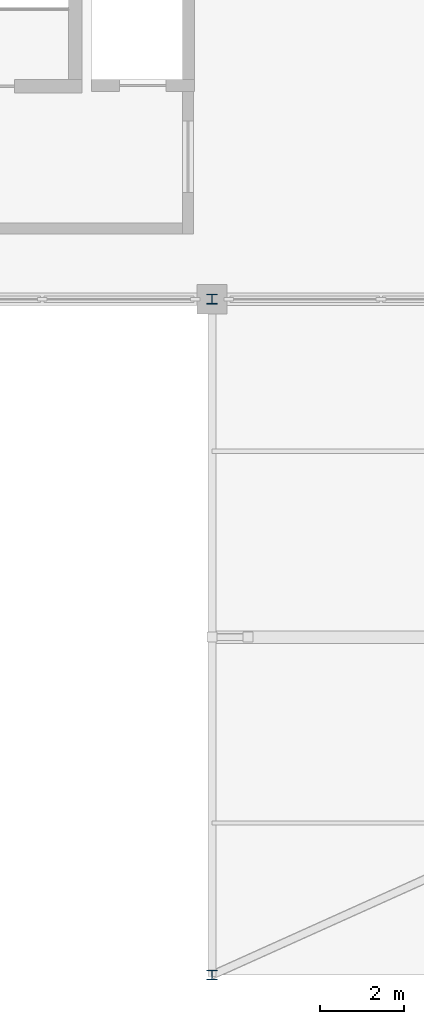
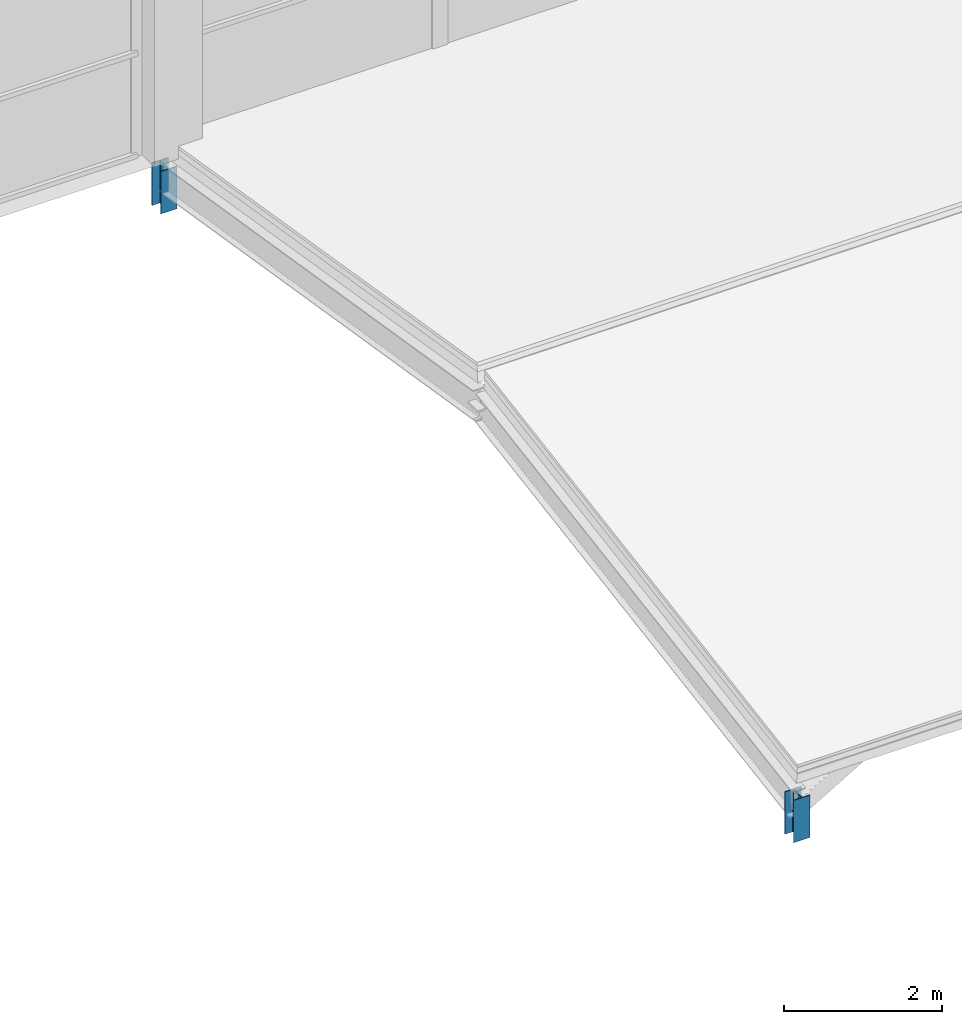
# One storey, part 28 of 67: 2 members.
"""IFC4 building model written with IfcOpenShell, lengths in metres."""

from ifc_helpers import new_model, si_unit, direction, frame, origin, origin_2d, place, context, subcontext, project, spatial, i_section, extrude, material, material_profile, profile_set, type_object, element, save


model = new_model("IFC4")

# Units and contexts
model_context = context("Model", 3, precision=1e-05, world=origin(), true_north=direction((0.0, 1.0)))
body_context = subcontext(model_context, "Body", "Model", "MODEL_VIEW")
ifc_project = project(units=[si_unit("LENGTHUNIT", "METRE"), si_unit("AREAUNIT", "SQUARE_METRE"), si_unit("VOLUMEUNIT", "CUBIC_METRE"), si_unit("PLANEANGLEUNIT", "RADIAN"), si_unit("MASSUNIT", "GRAM", prefix="KILO")], contexts=[model_context])

# Site, building, storey
site_placement = place(None, origin())
site = spatial("IfcSite", under=ifc_project, at=site_placement, CompositionType="ELEMENT")
building_placement = place(site_placement, origin())
building = spatial("IfcBuilding", under=site, at=building_placement, Name="Kenh Van Central Station", CompositionType="ELEMENT")
storey_placement = place(building_placement, frame((0.0, 0.0, 10.800048828125)))
storey = spatial("IfcBuildingStorey", under=building, at=storey_placement, Name="L02", CompositionType="ELEMENT", Elevation=10.800048828125)

# Members
ifc_material = material(Name="Steel S355", Category="steel")
ifc_material_profile = material_profile(ifc_material, i_section(OverallWidth=0.239990234375, OverallDepth=0.22998046875, WebThickness=0.007568359375, FlangeThickness=0.011962890625, FilletRadius=0.02099609375, at=origin_2d()), Name="HEA 240")
ifc_profile_set = profile_set([ifc_material_profile], Name="Steel S355")
member_type = type_object("IfcMemberType", Name="MEM-ROOF-POST240", PredefinedType="POST", material=ifc_profile_set)
for number, where, z_axis, x_axis, name in (
    (1, (56.0, 0.0, -0.949951171875), (0.0, 0.0, 1.0), (1.0, 0.0, 0.0), "L02 roof eave post 007"),
    (2, (56.0, 16.0, -0.949951171875), (0.0, 0.0, 1.0), (1.0, 0.0, 0.0), "L02 roof eave post 007"),
):
    element("IfcMember", number, at=place(storey_placement, frame(where, z_axis=z_axis, x_axis=x_axis)), inside=storey, type_object=member_type, Name=name, PredefinedType="POST", context=body_context, shape_type="SweptSolid", body=[
        extrude(i_section(OverallWidth=0.239990234375, OverallDepth=0.22998046875, WebThickness=0.007568359375, FlangeThickness=0.011962890625, FilletRadius=0.02099609375, at=origin_2d()), origin(), (0.0, 0.0, 1.0), 0.65478515625),
    ])

save(model, "model.ifc")
